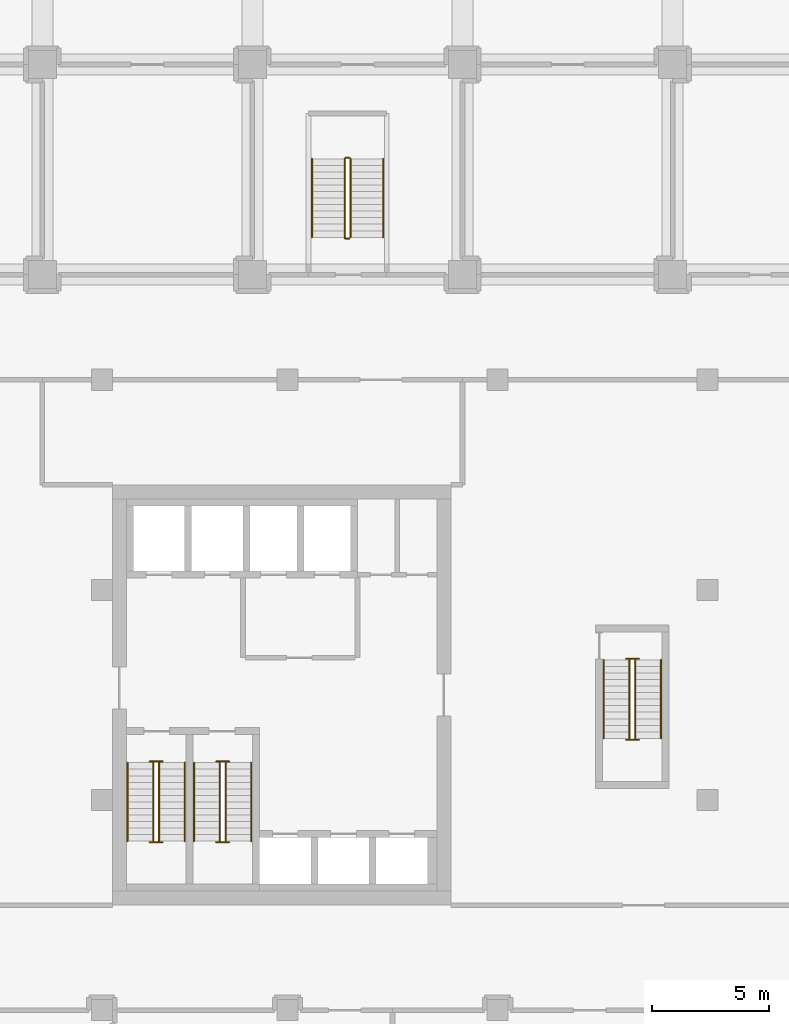
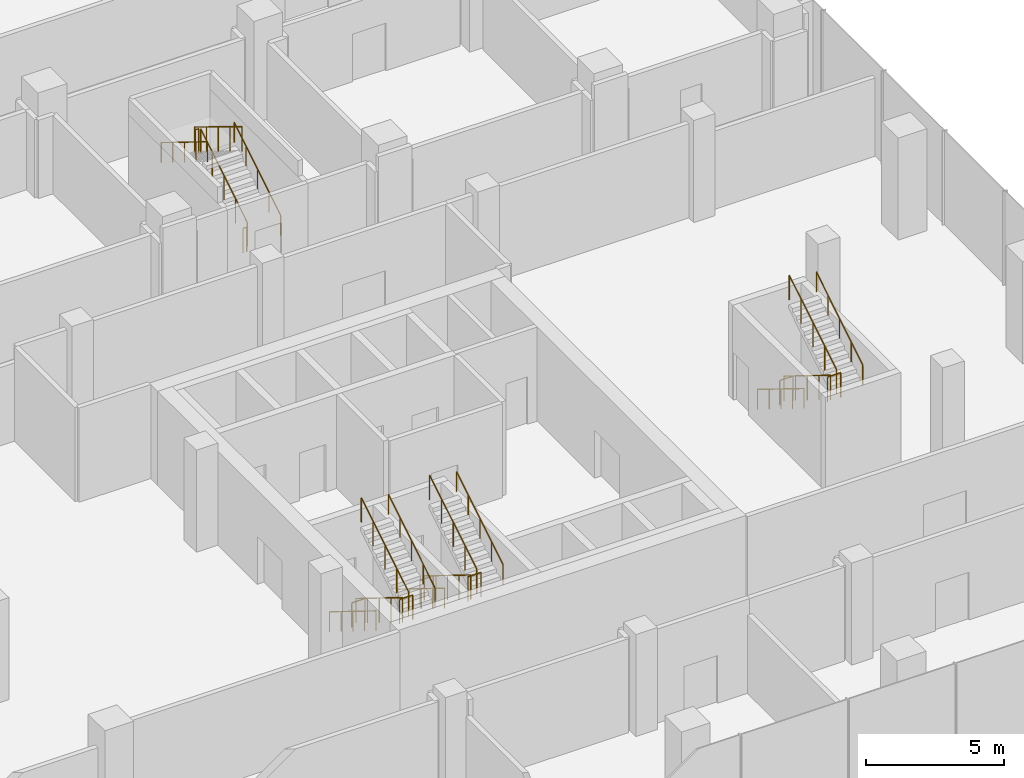
# One storey, part 42 of 43: 24 railings.
"""IFC4 building model written with IfcOpenShell, lengths in metres."""

from ifc_helpers import new_model, si_unit, direction, frame, origin, origin_2d, place, context, subcontext, project, spatial, circle, extrude, material, type_object, element, save


model = new_model("IFC4")

# Units and contexts
model_context = context("Model", 3, precision=1e-05, world=origin(), true_north=direction((0.0, 1.0)))
body_context = subcontext(model_context, "Body", "Model", "MODEL_VIEW")
ifc_project = project(units=[si_unit("LENGTHUNIT", "METRE"), si_unit("AREAUNIT", "SQUARE_METRE"), si_unit("VOLUMEUNIT", "CUBIC_METRE"), si_unit("PLANEANGLEUNIT", "RADIAN"), si_unit("MASSUNIT", "GRAM", prefix="KILO")], contexts=[model_context])

# Site, building, storey
site_placement = place(None, origin())
site = spatial("IfcSite", under=ifc_project, at=site_placement, CompositionType="ELEMENT")
building_placement = place(site_placement, origin())
building = spatial("IfcBuilding", under=site, at=building_placement, Name="Plateau Cross Towers", CompositionType="ELEMENT")
storey_placement = place(building_placement, frame((0.0, 0.0, 12.800048828125)))
storey = spatial("IfcBuildingStorey", under=building, at=storey_placement, Name="L02", CompositionType="ELEMENT", Elevation=12.800048828125)

# Railings
ifc_material_1 = material(Name="Stainless steel and toughened glass", Category="steel")
railing_type_1 = type_object("IfcRailingType", Name="RL-GUARD-1100", PredefinedType="GUARDRAIL", material=ifc_material_1)
railing_1_placement = place(storey_placement, frame((76.75, 6.10009765625, 0.173095703125)))
element("IfcRailing", 1, at=railing_1_placement, inside=storey, type_object=railing_type_1, Name="L02 SB-1 stair guard 1", PredefinedType="GUARDRAIL", context=body_context, shape_type="SweptSolid", body=[
    extrude(circle(Radius=0.02392578125, at=origin_2d()), frame((0.0, 0.0, 1.076171875), z_axis=(0.0, -0.850623216509, 0.525775754039), x_axis=(1.0, 0.0, 0.0)), (0.0, 0.0, 1.0), 3.9501953125),
    extrude(circle(Radius=0.02099609375, at=origin_2d()), origin(), (0.0, 0.0, 1.0), 1.052001953125),
    extrude(circle(Radius=0.02099609375, at=origin_2d()), frame((0.0, -0.840087890625, 0.519287109375)), (0.0, 0.0, 1.0), 1.052001953125),
    extrude(circle(Radius=0.02099609375, at=origin_2d()), frame((0.0, -1.68017578125, 1.03857421875)), (0.0, 0.0, 1.0), 1.052001953125),
    extrude(circle(Radius=0.02099609375, at=origin_2d()), frame((0.0, -2.52001953125, 1.5576171875)), (0.0, 0.0, 1.0), 1.052001953125),
    extrude(circle(Radius=0.02099609375, at=origin_2d()), frame((0.0, -3.360107421875, 2.076904296875)), (0.0, 0.0, 1.0), 1.052001953125),
])
railing_2_placement = place(storey_placement, frame((76.60009765625, 2.68994140625, 2.25)))
element("IfcRailing", 2, at=railing_2_placement, inside=storey, type_object=railing_type_1, Name="L02 SB-1 stair guard 2", PredefinedType="GUARDRAIL", context=body_context, shape_type="SweptSolid", body=[
    extrude(circle(Radius=0.02392578125, at=origin_2d()), frame((0.0, 0.0, 1.076171875), z_axis=(1.0, 0.0, 0.0), x_axis=(0.0, 1.0, 0.0)), (0.0, 0.0, 1.0), 0.5498046875),
    extrude(circle(Radius=0.02099609375, at=origin_2d()), origin(), (0.0, 0.0, 1.0), 1.052001953125),
    extrude(circle(Radius=0.02099609375, at=origin_2d()), frame((0.5498046875, 0.0, 0.0)), (0.0, 0.0, 1.0), 1.052001953125),
])
railing_3_placement = place(storey_placement, frame((77.0, 2.739990234375, 2.423095703125)))
element("IfcRailing", 3, at=railing_3_placement, inside=storey, type_object=railing_type_1, Name="L02 SB-1 stair guard 3", PredefinedType="GUARDRAIL", context=body_context, shape_type="SweptSolid", body=[
    extrude(circle(Radius=0.02392578125, at=origin_2d()), frame((0.0, 0.0, 1.076171875), z_axis=(0.0, 0.854053285388, 0.520185530092), x_axis=(-1.0, 0.0, 0.0)), (0.0, 0.0, 1.0), 3.99267578125),
    extrude(circle(Radius=0.02099609375, at=origin_2d()), origin(), (0.0, 0.0, 1.0), 1.052001953125),
    extrude(circle(Radius=0.02099609375, at=origin_2d()), frame((0.0, 0.8525390625, 0.519287109375)), (0.0, 0.0, 1.0), 1.052001953125),
    extrude(circle(Radius=0.02099609375, at=origin_2d()), frame((0.0, 1.705078125, 1.03857421875)), (0.0, 0.0, 1.0), 1.052001953125),
    extrude(circle(Radius=0.02099609375, at=origin_2d()), frame((0.0, 2.557373046875, 1.5576171875)), (0.0, 0.0, 1.0), 1.052001953125),
    extrude(circle(Radius=0.02099609375, at=origin_2d()), frame((0.0, 3.409912109375, 2.076904296875)), (0.0, 0.0, 1.0), 1.052001953125),
])
railing_4_placement = place(storey_placement, frame((76.60009765625, 6.14990234375, 0.0)))
element("IfcRailing", 4, at=railing_4_placement, inside=storey, type_object=railing_type_1, Name="L02 SB-1 stair guard 4", PredefinedType="GUARDRAIL", context=body_context, shape_type="SweptSolid", body=[
    extrude(circle(Radius=0.02392578125, at=origin_2d()), frame((0.0, 0.0, 1.076171875), z_axis=(1.0, 0.0, 0.0), x_axis=(0.0, 1.0, 0.0)), (0.0, 0.0, 1.0), 0.5498046875),
    extrude(circle(Radius=0.02099609375, at=origin_2d()), origin(), (0.0, 0.0, 1.0), 1.052001953125),
    extrude(circle(Radius=0.02099609375, at=origin_2d()), frame((0.5498046875, 0.0, 0.0)), (0.0, 0.0, 1.0), 1.052001953125),
])
railing_5_placement = place(storey_placement, frame((79.60009765625, 6.10009765625, 0.173095703125)))
element("IfcRailing", 5, at=railing_5_placement, inside=storey, type_object=railing_type_1, Name="L02 SB-2 stair guard 1", PredefinedType="GUARDRAIL", context=body_context, shape_type="SweptSolid", body=[
    extrude(circle(Radius=0.02392578125, at=origin_2d()), frame((0.0, 0.0, 1.076171875), z_axis=(0.0, -0.850623216509, 0.525775754039), x_axis=(1.0, 0.0, 0.0)), (0.0, 0.0, 1.0), 3.9501953125),
    extrude(circle(Radius=0.02099609375, at=origin_2d()), origin(), (0.0, 0.0, 1.0), 1.052001953125),
    extrude(circle(Radius=0.02099609375, at=origin_2d()), frame((0.0, -0.840087890625, 0.519287109375)), (0.0, 0.0, 1.0), 1.052001953125),
    extrude(circle(Radius=0.02099609375, at=origin_2d()), frame((0.0, -1.68017578125, 1.03857421875)), (0.0, 0.0, 1.0), 1.052001953125),
    extrude(circle(Radius=0.02099609375, at=origin_2d()), frame((0.0, -2.52001953125, 1.5576171875)), (0.0, 0.0, 1.0), 1.052001953125),
    extrude(circle(Radius=0.02099609375, at=origin_2d()), frame((0.0, -3.360107421875, 2.076904296875)), (0.0, 0.0, 1.0), 1.052001953125),
])
railing_6_placement = place(storey_placement, frame((79.449951171875, 2.68994140625, 2.25)))
element("IfcRailing", 6, at=railing_6_placement, inside=storey, type_object=railing_type_1, Name="L02 SB-2 stair guard 2", PredefinedType="GUARDRAIL", context=body_context, shape_type="SweptSolid", body=[
    extrude(circle(Radius=0.02392578125, at=origin_2d()), frame((0.0, 0.0, 1.076171875), z_axis=(1.0, 0.0, 0.0), x_axis=(0.0, 1.0, 0.0)), (0.0, 0.0, 1.0), 0.550048828125),
    extrude(circle(Radius=0.02099609375, at=origin_2d()), origin(), (0.0, 0.0, 1.0), 1.052001953125),
    extrude(circle(Radius=0.02099609375, at=origin_2d()), frame((0.550048828125, 0.0, 0.0)), (0.0, 0.0, 1.0), 1.052001953125),
])
railing_7_placement = place(storey_placement, frame((79.85009765625, 2.739990234375, 2.423095703125)))
element("IfcRailing", 7, at=railing_7_placement, inside=storey, type_object=railing_type_1, Name="L02 SB-2 stair guard 3", PredefinedType="GUARDRAIL", context=body_context, shape_type="SweptSolid", body=[
    extrude(circle(Radius=0.02392578125, at=origin_2d()), frame((0.0, 0.0, 1.076171875), z_axis=(0.0, 0.854053285388, 0.520185530092), x_axis=(-1.0, 0.0, 0.0)), (0.0, 0.0, 1.0), 3.99267578125),
    extrude(circle(Radius=0.02099609375, at=origin_2d()), origin(), (0.0, 0.0, 1.0), 1.052001953125),
    extrude(circle(Radius=0.02099609375, at=origin_2d()), frame((0.0, 0.8525390625, 0.519287109375)), (0.0, 0.0, 1.0), 1.052001953125),
    extrude(circle(Radius=0.02099609375, at=origin_2d()), frame((0.0, 1.705078125, 1.03857421875)), (0.0, 0.0, 1.0), 1.052001953125),
    extrude(circle(Radius=0.02099609375, at=origin_2d()), frame((0.0, 2.557373046875, 1.5576171875)), (0.0, 0.0, 1.0), 1.052001953125),
    extrude(circle(Radius=0.02099609375, at=origin_2d()), frame((0.0, 3.409912109375, 2.076904296875)), (0.0, 0.0, 1.0), 1.052001953125),
])
railing_8_placement = place(storey_placement, frame((79.449951171875, 6.14990234375, 0.0)))
element("IfcRailing", 8, at=railing_8_placement, inside=storey, type_object=railing_type_1, Name="L02 SB-2 stair guard 4", PredefinedType="GUARDRAIL", context=body_context, shape_type="SweptSolid", body=[
    extrude(circle(Radius=0.02392578125, at=origin_2d()), frame((0.0, 0.0, 1.076171875), z_axis=(1.0, 0.0, 0.0), x_axis=(0.0, 1.0, 0.0)), (0.0, 0.0, 1.0), 0.550048828125),
    extrude(circle(Radius=0.02099609375, at=origin_2d()), origin(), (0.0, 0.0, 1.0), 1.052001953125),
    extrude(circle(Radius=0.02099609375, at=origin_2d()), frame((0.550048828125, 0.0, 0.0)), (0.0, 0.0, 1.0), 1.052001953125),
])
railing_9_placement = place(storey_placement, frame((97.14990234375, 10.5, 0.173095703125)))
element("IfcRailing", 9, at=railing_9_placement, inside=storey, type_object=railing_type_1, Name="L02 SB-3 stair guard 1", PredefinedType="GUARDRAIL", context=body_context, shape_type="SweptSolid", body=[
    extrude(circle(Radius=0.02392578125, at=origin_2d()), frame((0.0, 0.0, 1.076171875), z_axis=(0.0, -0.850623216509, 0.525775754039), x_axis=(1.0, 0.0, 0.0)), (0.0, 0.0, 1.0), 3.9501953125),
    extrude(circle(Radius=0.02099609375, at=origin_2d()), origin(), (0.0, 0.0, 1.0), 1.052001953125),
    extrude(circle(Radius=0.02099609375, at=origin_2d()), frame((0.0, -0.840087890625, 0.519287109375)), (0.0, 0.0, 1.0), 1.052001953125),
    extrude(circle(Radius=0.02099609375, at=origin_2d()), frame((0.0, -1.68017578125, 1.03857421875)), (0.0, 0.0, 1.0), 1.052001953125),
    extrude(circle(Radius=0.02099609375, at=origin_2d()), frame((0.0, -2.52001953125, 1.5576171875)), (0.0, 0.0, 1.0), 1.052001953125),
    extrude(circle(Radius=0.02099609375, at=origin_2d()), frame((0.0, -3.360107421875, 2.076904296875)), (0.0, 0.0, 1.0), 1.052001953125),
])
railing_10_placement = place(storey_placement, frame((97.0, 7.090087890625, 2.25)))
element("IfcRailing", 10, at=railing_10_placement, inside=storey, type_object=railing_type_1, Name="L02 SB-3 stair guard 2", PredefinedType="GUARDRAIL", context=body_context, shape_type="SweptSolid", body=[
    extrude(circle(Radius=0.02392578125, at=origin_2d()), frame((0.0, 0.0, 1.076171875), z_axis=(1.0, 0.0, 0.0), x_axis=(0.0, 1.0, 0.0)), (0.0, 0.0, 1.0), 0.550048828125),
    extrude(circle(Radius=0.02099609375, at=origin_2d()), origin(), (0.0, 0.0, 1.0), 1.052001953125),
    extrude(circle(Radius=0.02099609375, at=origin_2d()), frame((0.550048828125, 0.0, 0.0)), (0.0, 0.0, 1.0), 1.052001953125),
])
railing_11_placement = place(storey_placement, frame((97.39990234375, 7.139892578125, 2.423095703125)))
element("IfcRailing", 11, at=railing_11_placement, inside=storey, type_object=railing_type_1, Name="L02 SB-3 stair guard 3", PredefinedType="GUARDRAIL", context=body_context, shape_type="SweptSolid", body=[
    extrude(circle(Radius=0.02392578125, at=origin_2d()), frame((0.0, 0.0, 1.076171875), z_axis=(0.0, 0.854069830296, 0.520158365287), x_axis=(-1.0, 0.0, 0.0)), (0.0, 0.0, 1.0), 3.992919921875),
    extrude(circle(Radius=0.02099609375, at=origin_2d()), origin(), (0.0, 0.0, 1.0), 1.052001953125),
    extrude(circle(Radius=0.02099609375, at=origin_2d()), frame((0.0, 0.8525390625, 0.519287109375)), (0.0, 0.0, 1.0), 1.052001953125),
    extrude(circle(Radius=0.02099609375, at=origin_2d()), frame((0.0, 1.705078125, 1.03857421875)), (0.0, 0.0, 1.0), 1.052001953125),
    extrude(circle(Radius=0.02099609375, at=origin_2d()), frame((0.0, 2.5576171875, 1.5576171875)), (0.0, 0.0, 1.0), 1.052001953125),
    extrude(circle(Radius=0.02099609375, at=origin_2d()), frame((0.0, 3.41015625, 2.076904296875)), (0.0, 0.0, 1.0), 1.052001953125),
])
railing_12_placement = place(storey_placement, frame((97.0, 10.550048828125, 0.0)))
element("IfcRailing", 12, at=railing_12_placement, inside=storey, type_object=railing_type_1, Name="L02 SB-3 stair guard 4", PredefinedType="GUARDRAIL", context=body_context, shape_type="SweptSolid", body=[
    extrude(circle(Radius=0.02392578125, at=origin_2d()), frame((0.0, 0.0, 1.076171875), z_axis=(1.0, 0.0, 0.0), x_axis=(0.0, 1.0, 0.0)), (0.0, 0.0, 1.0), 0.550048828125),
    extrude(circle(Radius=0.02099609375, at=origin_2d()), origin(), (0.0, 0.0, 1.0), 1.052001953125),
    extrude(circle(Radius=0.02099609375, at=origin_2d()), frame((0.550048828125, 0.0, 0.0)), (0.0, 0.0, 1.0), 1.052001953125),
])
railing_13_placement = place(storey_placement, frame((85.199951171875, 28.60009765625, 0.173095703125)))
element("IfcRailing", 13, at=railing_13_placement, inside=storey, type_object=railing_type_1, Name="L02 PS5 stair guard 1", PredefinedType="GUARDRAIL", context=body_context, shape_type="SweptSolid", body=[
    extrude(circle(Radius=0.02392578125, at=origin_2d()), frame((0.0, 0.0, 1.076171875), z_axis=(0.0, 0.850606129759, 0.525803396734), x_axis=(-1.0, 0.0, 0.0)), (0.0, 0.0, 1.0), 3.949951171875),
    extrude(circle(Radius=0.02099609375, at=origin_2d()), origin(), (0.0, 0.0, 1.0), 1.052001953125),
    extrude(circle(Radius=0.02099609375, at=origin_2d()), frame((0.0, 0.83984375, 0.519287109375)), (0.0, 0.0, 1.0), 1.052001953125),
    extrude(circle(Radius=0.02099609375, at=origin_2d()), frame((0.0, 1.679931640625, 1.03857421875)), (0.0, 0.0, 1.0), 1.052001953125),
    extrude(circle(Radius=0.02099609375, at=origin_2d()), frame((0.0, 2.52001953125, 1.5576171875)), (0.0, 0.0, 1.0), 1.052001953125),
    extrude(circle(Radius=0.02099609375, at=origin_2d()), frame((0.0, 3.35986328125, 2.076904296875)), (0.0, 0.0, 1.0), 1.052001953125),
])
railing_14_placement = place(storey_placement, frame((85.14990234375, 32.010009765625, 2.25)))
element("IfcRailing", 14, at=railing_14_placement, inside=storey, type_object=railing_type_1, Name="L02 PS5 stair guard 2", PredefinedType="GUARDRAIL", context=body_context, shape_type="SweptSolid", body=[
    extrude(circle(Radius=0.02392578125, at=origin_2d()), frame((0.0, 0.0, 1.076171875), z_axis=(-1.0, 0.0, 0.0), x_axis=(0.0, -1.0, 0.0)), (0.0, 0.0, 1.0), 0.14990234375),
    extrude(circle(Radius=0.02099609375, at=origin_2d()), origin(), (0.0, 0.0, 1.0), 1.052001953125),
    extrude(circle(Radius=0.02099609375, at=origin_2d()), frame((-0.14990234375, 0.0, 0.0)), (0.0, 0.0, 1.0), 1.052001953125),
])
railing_15_placement = place(storey_placement, frame((84.949951171875, 31.9599609375, 2.423095703125)))
element("IfcRailing", 15, at=railing_15_placement, inside=storey, type_object=railing_type_1, Name="L02 PS5 stair guard 3", PredefinedType="GUARDRAIL", context=body_context, shape_type="SweptSolid", body=[
    extrude(circle(Radius=0.02392578125, at=origin_2d()), frame((0.0, 0.0, 1.076171875), z_axis=(0.0, -0.854053285388, 0.520185530092), x_axis=(1.0, 0.0, 0.0)), (0.0, 0.0, 1.0), 3.99267578125),
    extrude(circle(Radius=0.02099609375, at=origin_2d()), origin(), (0.0, 0.0, 1.0), 1.052001953125),
    extrude(circle(Radius=0.02099609375, at=origin_2d()), frame((0.0, -0.8525390625, 0.519287109375)), (0.0, 0.0, 1.0), 1.052001953125),
    extrude(circle(Radius=0.02099609375, at=origin_2d()), frame((0.0, -1.705078125, 1.03857421875)), (0.0, 0.0, 1.0), 1.052001953125),
    extrude(circle(Radius=0.02099609375, at=origin_2d()), frame((0.0, -2.557373046875, 1.5576171875)), (0.0, 0.0, 1.0), 1.052001953125),
    extrude(circle(Radius=0.02099609375, at=origin_2d()), frame((0.0, -3.409912109375, 2.076904296875)), (0.0, 0.0, 1.0), 1.052001953125),
])
railing_16_placement = place(storey_placement, frame((85.14990234375, 28.550048828125, 0.0)))
element("IfcRailing", 16, at=railing_16_placement, inside=storey, type_object=railing_type_1, Name="L02 PS5 stair guard 4", PredefinedType="GUARDRAIL", context=body_context, shape_type="SweptSolid", body=[
    extrude(circle(Radius=0.02392578125, at=origin_2d()), frame((0.0, 0.0, 1.076171875), z_axis=(-1.0, 0.0, 0.0), x_axis=(0.0, -1.0, 0.0)), (0.0, 0.0, 1.0), 0.14990234375),
    extrude(circle(Radius=0.02099609375, at=origin_2d()), origin(), (0.0, 0.0, 1.0), 1.052001953125),
    extrude(circle(Radius=0.02099609375, at=origin_2d()), frame((-0.14990234375, 0.0, 0.0)), (0.0, 0.0, 1.0), 1.052001953125),
])
ifc_material_2 = material(Name="Black anodised aluminium", Category="aluminium")
railing_type_2 = type_object("IfcRailingType", Name="RL-HANDRAIL-900", PredefinedType="HANDRAIL", material=ifc_material_2)
railing_17_placement = place(storey_placement, frame((75.64990234375, 6.10009765625, 0.173095703125)))
element("IfcRailing", 17, at=railing_17_placement, inside=storey, type_object=railing_type_2, Name="L02 SB-1 stair handrail 1", PredefinedType="HANDRAIL", context=body_context, shape_type="SweptSolid", body=[
    extrude(circle(Radius=0.02392578125, at=origin_2d()), frame((0.0, 0.0, 0.8759765625), z_axis=(0.0, -0.850623216509, 0.525775754039), x_axis=(1.0, 0.0, 0.0)), (0.0, 0.0, 1.0), 3.9501953125),
    extrude(circle(Radius=0.02099609375, at=origin_2d()), origin(), (0.0, 0.0, 1.0), 0.851806640625),
    extrude(circle(Radius=0.02099609375, at=origin_2d()), frame((0.0, -0.840087890625, 0.519287109375)), (0.0, 0.0, 1.0), 0.851806640625),
    extrude(circle(Radius=0.02099609375, at=origin_2d()), frame((0.0, -1.68017578125, 1.03857421875)), (0.0, 0.0, 1.0), 0.851806640625),
    extrude(circle(Radius=0.02099609375, at=origin_2d()), frame((0.0, -2.52001953125, 1.5576171875)), (0.0, 0.0, 1.0), 0.851806640625),
    extrude(circle(Radius=0.02099609375, at=origin_2d()), frame((0.0, -3.360107421875, 2.076904296875)), (0.0, 0.0, 1.0), 0.851806640625),
])
railing_18_placement = place(storey_placement, frame((78.10009765625, 2.739990234375, 2.423095703125)))
element("IfcRailing", 18, at=railing_18_placement, inside=storey, type_object=railing_type_2, Name="L02 SB-1 stair handrail 2", PredefinedType="HANDRAIL", context=body_context, shape_type="SweptSolid", body=[
    extrude(circle(Radius=0.02392578125, at=origin_2d()), frame((0.0, 0.0, 0.8759765625), z_axis=(0.0, 0.850623216509, 0.525775754039), x_axis=(-1.0, 0.0, 0.0)), (0.0, 0.0, 1.0), 3.9501953125),
    extrude(circle(Radius=0.02099609375, at=origin_2d()), origin(), (0.0, 0.0, 1.0), 0.851806640625),
    extrude(circle(Radius=0.02099609375, at=origin_2d()), frame((0.0, 0.840087890625, 0.519287109375)), (0.0, 0.0, 1.0), 0.851806640625),
    extrude(circle(Radius=0.02099609375, at=origin_2d()), frame((0.0, 1.68017578125, 1.03857421875)), (0.0, 0.0, 1.0), 0.851806640625),
    extrude(circle(Radius=0.02099609375, at=origin_2d()), frame((0.0, 2.52001953125, 1.5576171875)), (0.0, 0.0, 1.0), 0.851806640625),
    extrude(circle(Radius=0.02099609375, at=origin_2d()), frame((0.0, 3.360107421875, 2.076904296875)), (0.0, 0.0, 1.0), 0.851806640625),
])
railing_19_placement = place(storey_placement, frame((78.5, 6.10009765625, 0.173095703125)))
element("IfcRailing", 19, at=railing_19_placement, inside=storey, type_object=railing_type_2, Name="L02 SB-2 stair handrail 1", PredefinedType="HANDRAIL", context=body_context, shape_type="SweptSolid", body=[
    extrude(circle(Radius=0.02392578125, at=origin_2d()), frame((0.0, 0.0, 0.8759765625), z_axis=(0.0, -0.850623216509, 0.525775754039), x_axis=(1.0, 0.0, 0.0)), (0.0, 0.0, 1.0), 3.9501953125),
    extrude(circle(Radius=0.02099609375, at=origin_2d()), origin(), (0.0, 0.0, 1.0), 0.851806640625),
    extrude(circle(Radius=0.02099609375, at=origin_2d()), frame((0.0, -0.840087890625, 0.519287109375)), (0.0, 0.0, 1.0), 0.851806640625),
    extrude(circle(Radius=0.02099609375, at=origin_2d()), frame((0.0, -1.68017578125, 1.03857421875)), (0.0, 0.0, 1.0), 0.851806640625),
    extrude(circle(Radius=0.02099609375, at=origin_2d()), frame((0.0, -2.52001953125, 1.5576171875)), (0.0, 0.0, 1.0), 0.851806640625),
    extrude(circle(Radius=0.02099609375, at=origin_2d()), frame((0.0, -3.360107421875, 2.076904296875)), (0.0, 0.0, 1.0), 0.851806640625),
])
railing_20_placement = place(storey_placement, frame((80.949951171875, 2.739990234375, 2.423095703125)))
element("IfcRailing", 20, at=railing_20_placement, inside=storey, type_object=railing_type_2, Name="L02 SB-2 stair handrail 2", PredefinedType="HANDRAIL", context=body_context, shape_type="SweptSolid", body=[
    extrude(circle(Radius=0.02392578125, at=origin_2d()), frame((0.0, 0.0, 0.8759765625), z_axis=(0.0, 0.850623216509, 0.525775754039), x_axis=(-1.0, 0.0, 0.0)), (0.0, 0.0, 1.0), 3.9501953125),
    extrude(circle(Radius=0.02099609375, at=origin_2d()), origin(), (0.0, 0.0, 1.0), 0.851806640625),
    extrude(circle(Radius=0.02099609375, at=origin_2d()), frame((0.0, 0.840087890625, 0.519287109375)), (0.0, 0.0, 1.0), 0.851806640625),
    extrude(circle(Radius=0.02099609375, at=origin_2d()), frame((0.0, 1.68017578125, 1.03857421875)), (0.0, 0.0, 1.0), 0.851806640625),
    extrude(circle(Radius=0.02099609375, at=origin_2d()), frame((0.0, 2.52001953125, 1.5576171875)), (0.0, 0.0, 1.0), 0.851806640625),
    extrude(circle(Radius=0.02099609375, at=origin_2d()), frame((0.0, 3.360107421875, 2.076904296875)), (0.0, 0.0, 1.0), 0.851806640625),
])
railing_21_placement = place(storey_placement, frame((96.050048828125, 10.5, 0.173095703125)))
element("IfcRailing", 21, at=railing_21_placement, inside=storey, type_object=railing_type_2, Name="L02 SB-3 stair handrail 1", PredefinedType="HANDRAIL", context=body_context, shape_type="SweptSolid", body=[
    extrude(circle(Radius=0.02392578125, at=origin_2d()), frame((0.0, 0.0, 0.8759765625), z_axis=(0.0, -0.850623216509, 0.525775754039), x_axis=(1.0, 0.0, 0.0)), (0.0, 0.0, 1.0), 3.9501953125),
    extrude(circle(Radius=0.02099609375, at=origin_2d()), origin(), (0.0, 0.0, 1.0), 0.851806640625),
    extrude(circle(Radius=0.02099609375, at=origin_2d()), frame((0.0, -0.840087890625, 0.519287109375)), (0.0, 0.0, 1.0), 0.851806640625),
    extrude(circle(Radius=0.02099609375, at=origin_2d()), frame((0.0, -1.68017578125, 1.03857421875)), (0.0, 0.0, 1.0), 0.851806640625),
    extrude(circle(Radius=0.02099609375, at=origin_2d()), frame((0.0, -2.52001953125, 1.5576171875)), (0.0, 0.0, 1.0), 0.851806640625),
    extrude(circle(Radius=0.02099609375, at=origin_2d()), frame((0.0, -3.360107421875, 2.076904296875)), (0.0, 0.0, 1.0), 0.851806640625),
])
railing_22_placement = place(storey_placement, frame((98.5, 7.139892578125, 2.423095703125)))
element("IfcRailing", 22, at=railing_22_placement, inside=storey, type_object=railing_type_2, Name="L02 SB-3 stair handrail 2", PredefinedType="HANDRAIL", context=body_context, shape_type="SweptSolid", body=[
    extrude(circle(Radius=0.02392578125, at=origin_2d()), frame((0.0, 0.0, 0.8759765625), z_axis=(0.0, 0.850623216509, 0.525775754039), x_axis=(-1.0, 0.0, 0.0)), (0.0, 0.0, 1.0), 3.9501953125),
    extrude(circle(Radius=0.02099609375, at=origin_2d()), origin(), (0.0, 0.0, 1.0), 0.851806640625),
    extrude(circle(Radius=0.02099609375, at=origin_2d()), frame((0.0, 0.840087890625, 0.519287109375)), (0.0, 0.0, 1.0), 0.851806640625),
    extrude(circle(Radius=0.02099609375, at=origin_2d()), frame((0.0, 1.68017578125, 1.03857421875)), (0.0, 0.0, 1.0), 0.851806640625),
    extrude(circle(Radius=0.02099609375, at=origin_2d()), frame((0.0, 2.52001953125, 1.5576171875)), (0.0, 0.0, 1.0), 0.851806640625),
    extrude(circle(Radius=0.02099609375, at=origin_2d()), frame((0.0, 3.360107421875, 2.076904296875)), (0.0, 0.0, 1.0), 0.851806640625),
])
railing_23_placement = place(storey_placement, frame((86.60009765625, 28.60009765625, 0.173095703125)))
element("IfcRailing", 23, at=railing_23_placement, inside=storey, type_object=railing_type_2, Name="L02 PS5 stair handrail 1", PredefinedType="HANDRAIL", context=body_context, shape_type="SweptSolid", body=[
    extrude(circle(Radius=0.02392578125, at=origin_2d()), frame((0.0, 0.0, 0.8759765625), z_axis=(0.0, 0.850606129759, 0.525803396734), x_axis=(-1.0, 0.0, 0.0)), (0.0, 0.0, 1.0), 3.949951171875),
    extrude(circle(Radius=0.02099609375, at=origin_2d()), origin(), (0.0, 0.0, 1.0), 0.851806640625),
    extrude(circle(Radius=0.02099609375, at=origin_2d()), frame((0.0, 0.83984375, 0.519287109375)), (0.0, 0.0, 1.0), 0.851806640625),
    extrude(circle(Radius=0.02099609375, at=origin_2d()), frame((0.0, 1.679931640625, 1.03857421875)), (0.0, 0.0, 1.0), 0.851806640625),
    extrude(circle(Radius=0.02099609375, at=origin_2d()), frame((0.0, 2.52001953125, 1.5576171875)), (0.0, 0.0, 1.0), 0.851806640625),
    extrude(circle(Radius=0.02099609375, at=origin_2d()), frame((0.0, 3.35986328125, 2.076904296875)), (0.0, 0.0, 1.0), 0.851806640625),
])
railing_24_placement = place(storey_placement, frame((83.550048828125, 31.9599609375, 2.423095703125)))
element("IfcRailing", 24, at=railing_24_placement, inside=storey, type_object=railing_type_2, Name="L02 PS5 stair handrail 2", PredefinedType="HANDRAIL", context=body_context, shape_type="SweptSolid", body=[
    extrude(circle(Radius=0.02392578125, at=origin_2d()), frame((0.0, 0.0, 0.8759765625), z_axis=(0.0, -0.850606129759, 0.525803396734), x_axis=(1.0, 0.0, 0.0)), (0.0, 0.0, 1.0), 3.949951171875),
    extrude(circle(Radius=0.02099609375, at=origin_2d()), origin(), (0.0, 0.0, 1.0), 0.851806640625),
    extrude(circle(Radius=0.02099609375, at=origin_2d()), frame((0.0, -0.83984375, 0.519287109375)), (0.0, 0.0, 1.0), 0.851806640625),
    extrude(circle(Radius=0.02099609375, at=origin_2d()), frame((0.0, -1.679931640625, 1.03857421875)), (0.0, 0.0, 1.0), 0.851806640625),
    extrude(circle(Radius=0.02099609375, at=origin_2d()), frame((0.0, -2.52001953125, 1.5576171875)), (0.0, 0.0, 1.0), 0.851806640625),
    extrude(circle(Radius=0.02099609375, at=origin_2d()), frame((0.0, -3.35986328125, 2.076904296875)), (0.0, 0.0, 1.0), 0.851806640625),
])

save(model, "model.ifc")
